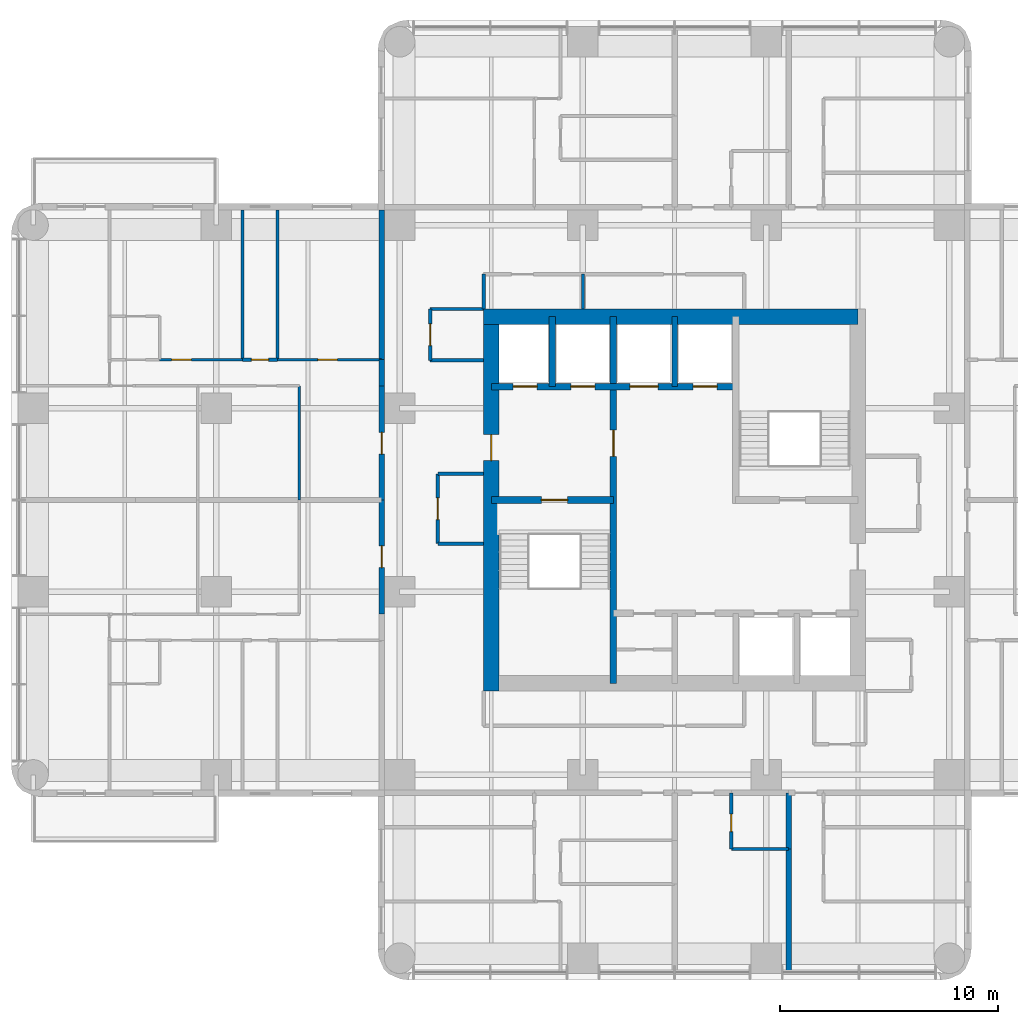
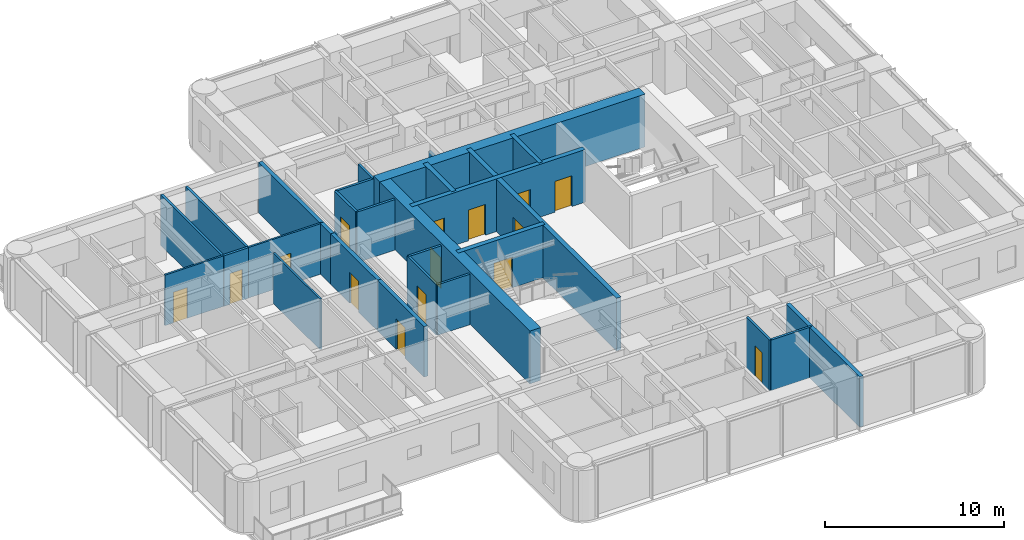
# One storey, part 6 of 11: 29 walls, 15 doors, 15 openings.
"""IFC4 building model written with IfcOpenShell, lengths in metres."""

from ifc_helpers import new_model, si_unit, direction, frame, frame_2d, origin, place, context, subcontext, project, spatial, rectangle, extrude, material, layer, layer_set, type_object, element, fill, save


model = new_model("IFC4")

# Units and contexts
model_context = context("Model", 3, precision=1e-05, world=origin(), true_north=direction((0.0, 1.0)))
body_context = subcontext(model_context, "Body", "Model", "MODEL_VIEW")
ifc_project = project(units=[si_unit("LENGTHUNIT", "METRE"), si_unit("AREAUNIT", "SQUARE_METRE"), si_unit("VOLUMEUNIT", "CUBIC_METRE"), si_unit("PLANEANGLEUNIT", "RADIAN"), si_unit("MASSUNIT", "GRAM", prefix="KILO")], contexts=[model_context])

# Site, building, storey
site_placement = place(None, origin())
site = spatial("IfcSite", under=ifc_project, at=site_placement, CompositionType="ELEMENT")
building_placement = place(site_placement, origin())
building = spatial("IfcBuilding", under=site, at=building_placement, Name="Torre Alcanfor", CompositionType="ELEMENT")
storey_placement = place(building_placement, frame((0.0, 0.0, 208.5)))
storey = spatial("IfcBuildingStorey", under=building, at=storey_placement, Name="L54", CompositionType="ELEMENT", Elevation=208.5)

# Wall, opening, door
ifc_material_1 = material(Name="Concrete block masonry, hollow blocks NMX-C-404 9 MPa", Category="masonry")
ifc_layer_1 = layer(ifc_material_1, 0.25)
ifc_layer_set_1 = layer_set([ifc_layer_1], Name="Apartment entrance wall 250 EI 60")
wall_type_1 = type_object("IfcWallType", Name="Apartment entrance wall 250 EI 60", PredefinedType="PARTITIONING", material=ifc_layer_set_1)
wall_1_placement = place(storey_placement, frame((15.97509765625, 24.1708984375, 0.0), z_axis=(0.0, 0.0, 1.0), x_axis=(0.0, 1.0, 0.0)))
wall_1 = element("IfcWall", 1, at=wall_1_placement, inside=storey, type_object=wall_type_1, Name="Partition L54-CORR / L54-W1-ZAG", PredefinedType="PARTITIONING", context=body_context, shape_type="SweptSolid", body=[
    extrude(rectangle(XDim=5.22900390625, YDim=0.25, at=frame_2d((2.614501953125, 0.0))), origin(), (0.0, 0.0, 1.0), 3.449951171875),
])
opening_1_placement = place(wall_1_placement, frame((2.12890625, 0.0, 0.0)))
opening_1 = element("IfcOpeningElement", 2, at=opening_1_placement, cuts=wall_1, Name="Opening D-A1", PredefinedType="OPENING", context=body_context, shape_type="SweptSolid", body=[
    extrude(rectangle(XDim=1.0, YDim=2.10009765625, at=frame_2d((0.5, 1.050048828125))), frame((0.0, 0.135009765625, 0.0), z_axis=(0.0, -1.0, 0.0), x_axis=(1.0, 0.0, 0.0)), (0.0, 0.0, 1.0), 0.27001953125),
])
ifc_material_2 = material(Name="Galvanised steel sheet ASTM A653", Category="steel")
door_type_1 = type_object("IfcDoorType", Name="Apartment entrance door FD60 1000x2100", OperationType="SINGLE_SWING_LEFT", PredefinedType="DOOR", material=ifc_material_2)
door_1_placement = place(opening_1_placement, origin())
door_1 = element("IfcDoor", 3, at=door_1_placement, inside=storey, type_object=door_type_1, Name="Apartment entrance L54-W1", OperationType="SINGLE_SWING_RIGHT", OverallHeight=2.10009765625, OverallWidth=1.0, PredefinedType="DOOR", context=body_context, shape_type="SweptSolid", body=[
    extrude(rectangle(XDim=1.0, YDim=2.10009765625, at=frame_2d((0.5, 1.050048828125))), frame((0.0, 0.02490234375, 0.0), z_axis=(0.0, -1.0, 0.0), x_axis=(1.0, 0.0, 0.0)), (0.0, 0.0, 1.0), 0.050048828125),
])
fill(opening_1, door_1)

wall_2_placement = place(storey_placement, frame((15.97509765625, 29.39990234375, 0.0), z_axis=(0.0, 0.0, 1.0), x_axis=(0.0, 1.0, 0.0)))
wall_2 = element("IfcWall", 4, at=wall_2_placement, inside=storey, type_object=wall_type_1, Name="Partition L54-CORR / L54-W2-ZAG", PredefinedType="PARTITIONING", context=body_context, shape_type="SweptSolid", body=[
    extrude(rectangle(XDim=5.22900390625, YDim=0.25, at=frame_2d((2.614501953125, 0.0))), origin(), (0.0, 0.0, 1.0), 3.449951171875),
])
opening_2_placement = place(wall_2_placement, frame((2.10009765625, 0.0, 0.0)))
opening_2 = element("IfcOpeningElement", 5, at=opening_2_placement, cuts=wall_2, Name="Opening D-A1", PredefinedType="OPENING", context=body_context, shape_type="SweptSolid", body=[
    extrude(rectangle(XDim=1.0, YDim=2.10009765625, at=frame_2d((0.5, 1.050048828125))), frame((0.0, 0.135009765625, 0.0), z_axis=(0.0, -1.0, 0.0), x_axis=(1.0, 0.0, 0.0)), (0.0, 0.0, 1.0), 0.27001953125),
])
door_2_placement = place(opening_2_placement, origin())
door_2 = element("IfcDoor", 6, at=door_2_placement, inside=storey, type_object=door_type_1, Name="Apartment entrance L54-W2", OperationType="SINGLE_SWING_LEFT", OverallHeight=2.10009765625, OverallWidth=1.0, PredefinedType="DOOR", context=body_context, shape_type="SweptSolid", body=[
    extrude(rectangle(XDim=1.0, YDim=2.10009765625, at=frame_2d((0.5, 1.050048828125))), frame((0.0, 0.02490234375, 0.0), z_axis=(0.0, -1.0, 0.0), x_axis=(1.0, 0.0, 0.0)), (0.0, 0.0, 1.0), 0.050048828125),
])
fill(opening_2, door_2)

# Walls
wall_3_placement = place(storey_placement, frame((15.97509765625, 34.62890625, 0.0), z_axis=(0.0, 0.0, 1.0), x_axis=(0.0, 1.0, 0.0)))
element("IfcWall", 7, at=wall_3_placement, inside=storey, type_object=wall_type_1, Name="Partition L54-CORR / L54-W2-HALL", PredefinedType="PARTITIONING", context=body_context, shape_type="SweptSolid", body=[
    extrude(rectangle(XDim=1.2001953125, YDim=0.25, at=frame_2d((0.60009765625, 0.0))), origin(), (0.0, 0.0, 1.0), 3.449951171875),
])
wall_4_placement = place(storey_placement, frame((15.97509765625, 35.8291015625, 0.0), z_axis=(0.0, 0.0, 1.0), x_axis=(0.0, 1.0, 0.0)))
element("IfcWall", 8, at=wall_4_placement, inside=storey, type_object=wall_type_1, Name="Partition L54-CORR / L54-W2-BED2", PredefinedType="PARTITIONING", context=body_context, shape_type="SweptSolid", body=[
    extrude(rectangle(XDim=6.870849609375, YDim=0.25, at=frame_2d((3.435546875, 0.0))), origin(), (0.0, 0.0, 1.0), 3.449951171875),
])
ifc_material_3 = material(Name="Gypsum board on steel studs", Category="steel")
ifc_layer_2 = layer(ifc_material_3, 0.1201171875)
ifc_layer_set_2 = layer_set([ifc_layer_2], Name="Apartment partition 120")
wall_type_2 = type_object("IfcWallType", Name="Apartment partition 120", PredefinedType="PARTITIONING", material=ifc_layer_set_2)
wall_5_placement = place(storey_placement, frame((12.199951171875, 29.39990234375, 0.0), z_axis=(0.0, 0.0, 1.0), x_axis=(0.0, 1.0, 0.0)))
element("IfcWall", 9, at=wall_5_placement, inside=storey, type_object=wall_type_2, Name="Partition L54-W2-ZAG / L54-W2-FAMILY", PredefinedType="PARTITIONING", context=body_context, shape_type="SweptSolid", body=[
    extrude(rectangle(XDim=5.22900390625, YDim=0.1201171875, at=frame_2d((2.614501953125, 0.0))), origin(), (0.0, 0.0, 1.0), 3.449951171875),
])

# Wall, opening, door
wall_6_placement = place(storey_placement, frame((11.199951171875, 35.8291015625, 0.0), z_axis=(0.0, 0.0, 1.0), x_axis=(1.0, 0.0, 0.0)))
wall_6 = element("IfcWall", 10, at=wall_6_placement, inside=storey, type_object=wall_type_2, Name="Partition L54-W2-HALL / L54-W2-BED2", PredefinedType="PARTITIONING", context=body_context, shape_type="SweptSolid", body=[
    extrude(rectangle(XDim=4.775146484375, YDim=0.1201171875, at=frame_2d((2.3876953125, 0.0))), origin(), (0.0, 0.0, 1.0), 3.449951171875),
])
opening_3_placement = place(wall_6_placement, frame((1.85009765625, 0.0, 0.0)))
opening_3 = element("IfcOpeningElement", 11, at=opening_3_placement, cuts=wall_6, Name="Opening D-R1", PredefinedType="OPENING", context=body_context, shape_type="SweptSolid", body=[
    extrude(rectangle(XDim=0.89990234375, YDim=2.10009765625, at=frame_2d((0.449951171875, 1.050048828125))), frame((0.0, 0.070068359375, 0.0), z_axis=(0.0, -1.0, 0.0), x_axis=(1.0, 0.0, 0.0)), (0.0, 0.0, 1.0), 0.14013671875),
])
ifc_material_4 = material(Name="Timber", Category="wood")
door_type_2 = type_object("IfcDoorType", Name="Internal door 900x2100", OperationType="SINGLE_SWING_LEFT", PredefinedType="DOOR", material=ifc_material_4)
door_3_placement = place(opening_3_placement, origin())
door_3 = element("IfcDoor", 12, at=door_3_placement, inside=storey, type_object=door_type_2, Name="Door L54-W2 bed2", OperationType="SINGLE_SWING_LEFT", OverallHeight=2.10009765625, OverallWidth=0.89990234375, PredefinedType="DOOR", context=body_context, shape_type="SweptSolid", body=[
    extrude(rectangle(XDim=0.89990234375, YDim=2.10009765625, at=frame_2d((0.449951171875, 1.050048828125))), frame((0.0, 0.02490234375, 0.0), z_axis=(0.0, -1.0, 0.0), x_axis=(1.0, 0.0, 0.0)), (0.0, 0.0, 1.0), 0.050048828125),
])
fill(opening_3, door_3)

wall_7_placement = place(storey_placement, frame((5.800048828125, 35.8291015625, 0.0), z_axis=(0.0, 0.0, 1.0), x_axis=(1.0, 0.0, 0.0)))
wall_7 = element("IfcWall", 13, at=wall_7_placement, inside=storey, type_object=wall_type_2, Name="Partition L54-W2-HALL / L54-W2-MASTER", PredefinedType="PARTITIONING", context=body_context, shape_type="SweptSolid", body=[
    extrude(rectangle(XDim=3.800048828125, YDim=0.1201171875, at=frame_2d((1.89990234375, 0.0))), origin(), (0.0, 0.0, 1.0), 3.449951171875),
])
opening_4_placement = place(wall_7_placement, frame((0.550048828125, 0.0, 0.0)))
opening_4 = element("IfcOpeningElement", 14, at=opening_4_placement, cuts=wall_7, Name="Opening D-R1", PredefinedType="OPENING", context=body_context, shape_type="SweptSolid", body=[
    extrude(rectangle(XDim=0.89990234375, YDim=2.10009765625, at=frame_2d((0.449951171875, 1.050048828125))), frame((0.0, 0.070068359375, 0.0), z_axis=(0.0, -1.0, 0.0), x_axis=(1.0, 0.0, 0.0)), (0.0, 0.0, 1.0), 0.14013671875),
])
door_4_placement = place(opening_4_placement, origin())
door_4 = element("IfcDoor", 15, at=door_4_placement, inside=storey, type_object=door_type_2, Name="Door L54-W2 master", OperationType="SINGLE_SWING_LEFT", OverallHeight=2.10009765625, OverallWidth=0.89990234375, PredefinedType="DOOR", context=body_context, shape_type="SweptSolid", body=[
    extrude(rectangle(XDim=0.89990234375, YDim=2.10009765625, at=frame_2d((0.449951171875, 1.050048828125))), frame((0.0, 0.02490234375, 0.0), z_axis=(0.0, -1.0, 0.0), x_axis=(1.0, 0.0, 0.0)), (0.0, 0.0, 1.0), 0.050048828125),
])
fill(opening_4, door_4)

ifc_material_5 = material(Name="Concrete f'c 70 MPa", Category="concrete")
ifc_layer_3 = layer(ifc_material_5, 0.300048828125)
ifc_layer_set_3 = layer_set([ifc_layer_3], Name="Core inner wall 300 f'c70")
wall_type_3 = type_object("IfcWallType", Name="Core inner wall 300 f'c70", PredefinedType="SHEAR", material=ifc_layer_set_3)
wall_8_placement = place(storey_placement, frame((26.60009765625, 21.0, 0.0), z_axis=(0.0, 0.0, 1.0), x_axis=(0.0, 1.0, 0.0)))
wall_8 = element("IfcWall", 16, at=wall_8_placement, inside=storey, type_object=wall_type_3, Name="Core wall X266 L54", PredefinedType="SHEAR", context=body_context, shape_type="SweptSolid", body=[
    extrude(rectangle(XDim=16.800048828125, YDim=0.300048828125, at=frame_2d((8.39990234375, 0.0))), origin(), (0.0, 0.0, 1.0), 3.60009765625),
])
opening_5_placement = place(wall_8_placement, frame((10.39990234375, 0.0, 0.0)))
opening_5 = element("IfcOpeningElement", 17, at=opening_5_placement, cuts=wall_8, Name="Opening D-L1", PredefinedType="OPENING", context=body_context, shape_type="SweptSolid", body=[
    extrude(rectangle(XDim=1.199951171875, YDim=2.10009765625, at=frame_2d((0.60009765625, 1.050048828125))), frame((0.0, 0.159912109375, 0.0), z_axis=(0.0, -1.0, 0.0), x_axis=(1.0, 0.0, 0.0)), (0.0, 0.0, 1.0), 0.320068359375),
])
ifc_material_6 = material(Name="Galvanised steel sheet ASTM A653", Category="steel")
door_type_3 = type_object("IfcDoorType", Name="Lobby door FD120 1200x2100", OperationType="SINGLE_SWING_LEFT", PredefinedType="DOOR", material=ifc_material_6)
door_5_placement = place(opening_5_placement, origin())
door_5 = element("IfcDoor", 18, at=door_5_placement, inside=storey, type_object=door_type_3, Name="Lift lobby door L54", OperationType="SINGLE_SWING_LEFT", OverallHeight=2.10009765625, OverallWidth=1.199951171875, PredefinedType="DOOR", context=body_context, shape_type="SweptSolid", body=[
    extrude(rectangle(XDim=1.199951171875, YDim=2.10009765625, at=frame_2d((0.60009765625, 1.050048828125))), frame((0.0, 0.02490234375, 0.0), z_axis=(0.0, -1.0, 0.0), x_axis=(1.0, 0.0, 0.0)), (0.0, 0.0, 1.0), 0.050048828125),
])
fill(opening_5, door_5)

wall_9_placement = place(storey_placement, frame((21.0, 29.39990234375, 0.0), z_axis=(0.0, 0.0, 1.0), x_axis=(1.0, 0.0, 0.0)))
wall_9 = element("IfcWall", 19, at=wall_9_placement, inside=storey, type_object=wall_type_3, Name="Core wall Y294W L54", PredefinedType="SHEAR", context=body_context, shape_type="SweptSolid", body=[
    extrude(rectangle(XDim=5.60009765625, YDim=0.300048828125, at=frame_2d((2.800048828125, 0.0))), origin(), (0.0, 0.0, 1.0), 3.60009765625),
])
opening_6_placement = place(wall_9_placement, frame((2.300048828125, 0.0, 0.0)))
opening_6 = element("IfcOpeningElement", 20, at=opening_6_placement, cuts=wall_9, Name="Opening D-S2", PredefinedType="OPENING", context=body_context, shape_type="SweptSolid", body=[
    extrude(rectangle(XDim=1.199951171875, YDim=2.10009765625, at=frame_2d((0.60009765625, 1.050048828125))), frame((0.0, 0.159912109375, 0.0), z_axis=(0.0, -1.0, 0.0), x_axis=(1.0, 0.0, 0.0)), (0.0, 0.0, 1.0), 0.320068359375),
])
ifc_material_7 = material(Name="Galvanised steel sheet ASTM A653", Category="steel")
door_type_4 = type_object("IfcDoorType", Name="Stair enclosure door FD120 1200x2100", OperationType="SINGLE_SWING_LEFT", PredefinedType="DOOR", material=ifc_material_7)
door_6_placement = place(opening_6_placement, frame((1.199951171875, 0.0, 0.0), z_axis=(0.0, 0.0, 1.0), x_axis=(-1.0, 0.0, 0.0)))
door_6 = element("IfcDoor", 21, at=door_6_placement, inside=storey, type_object=door_type_4, Name="Stair S1 door L54", OperationType="SINGLE_SWING_LEFT", OverallHeight=2.10009765625, OverallWidth=1.199951171875, PredefinedType="DOOR", context=body_context, shape_type="SweptSolid", body=[
    extrude(rectangle(XDim=1.199951171875, YDim=2.10009765625, at=frame_2d((0.599853515625, 1.050048828125))), frame((0.0, 0.025146484375, 0.0), z_axis=(0.0, -1.0, 0.0), x_axis=(1.0, 0.0, 0.0)), (0.0, 0.0, 1.0), 0.050048828125),
])
fill(opening_6, door_6)

# Wall, openings, doors
wall_10_placement = place(storey_placement, frame((21.0, 34.60009765625, 0.0), z_axis=(0.0, 0.0, 1.0), x_axis=(1.0, 0.0, 0.0)))
wall_10 = element("IfcWall", 22, at=wall_10_placement, inside=storey, type_object=wall_type_3, Name="Core wall Y346 L54", PredefinedType="SHEAR", context=body_context, shape_type="SweptSolid", body=[
    extrude(rectangle(XDim=11.199951171875, YDim=0.300048828125, at=frame_2d((5.60009765625, 0.0))), origin(), (0.0, 0.0, 1.0), 3.60009765625),
])
opening_7_placement = place(wall_10_placement, frame((9.25, 0.0, 0.0)))
opening_7 = element("IfcOpeningElement", 23, at=opening_7_placement, cuts=wall_10, Name="Opening LD1", PredefinedType="OPENING", context=body_context, shape_type="SweptSolid", body=[
    extrude(rectangle(XDim=1.10009765625, YDim=2.10009765625, at=frame_2d((0.550048828125, 1.050048828125))), frame((0.0, 0.159912109375, 0.0), z_axis=(0.0, -1.0, 0.0), x_axis=(1.0, 0.0, 0.0)), (0.0, 0.0, 1.0), 0.320068359375),
])
opening_8_placement = place(wall_10_placement, frame((1.0, 0.0, 0.0)))
opening_8 = element("IfcOpeningElement", 24, at=opening_8_placement, cuts=wall_10, Name="Opening LD2", PredefinedType="OPENING", context=body_context, shape_type="SweptSolid", body=[
    extrude(rectangle(XDim=1.10009765625, YDim=2.10009765625, at=frame_2d((0.550048828125, 1.050048828125))), frame((0.0, 0.159912109375, 0.0), z_axis=(0.0, -1.0, 0.0), x_axis=(1.0, 0.0, 0.0)), (0.0, 0.0, 1.0), 0.320068359375),
])
opening_9_placement = place(wall_10_placement, frame((3.64990234375, 0.0, 0.0)))
opening_9 = element("IfcOpeningElement", 25, at=opening_9_placement, cuts=wall_10, Name="Opening LD2", PredefinedType="OPENING", context=body_context, shape_type="SweptSolid", body=[
    extrude(rectangle(XDim=1.10009765625, YDim=2.10009765625, at=frame_2d((0.550048828125, 1.050048828125))), frame((0.0, 0.159912109375, 0.0), z_axis=(0.0, -1.0, 0.0), x_axis=(1.0, 0.0, 0.0)), (0.0, 0.0, 1.0), 0.320068359375),
])
opening_10_placement = place(wall_10_placement, frame((6.35009765625, 0.0, 0.0)))
opening_10 = element("IfcOpeningElement", 26, at=opening_10_placement, cuts=wall_10, Name="Opening LD3", PredefinedType="OPENING", context=body_context, shape_type="SweptSolid", body=[
    extrude(rectangle(XDim=1.300048828125, YDim=2.10009765625, at=frame_2d((0.64990234375, 1.050048828125))), frame((0.0, 0.159912109375, 0.0), z_axis=(0.0, -1.0, 0.0), x_axis=(1.0, 0.0, 0.0)), (0.0, 0.0, 1.0), 0.320068359375),
])
ifc_material_8 = material(Name="Galvanised steel sheet ASTM A653", Category="steel")
door_type_5 = type_object("IfcDoorType", Name="Firefighting lift landing door 1100x2100", OperationType="DOUBLE_DOOR_SLIDING", PredefinedType="DOOR", material=ifc_material_8)
door_7_placement = place(opening_8_placement, origin())
door_7 = element("IfcDoor", 27, at=door_7_placement, inside=storey, type_object=door_type_5, Name="Lift landing door FL1 L54", OperationType="DOUBLE_DOOR_SLIDING", OverallHeight=2.10009765625, OverallWidth=1.10009765625, PredefinedType="DOOR", context=body_context, shape_type="SweptSolid", body=[
    extrude(rectangle(XDim=1.10009765625, YDim=2.10009765625, at=frame_2d((0.550048828125, 1.050048828125))), frame((0.0, 0.02490234375, 0.0), z_axis=(0.0, -1.0, 0.0), x_axis=(1.0, 0.0, 0.0)), (0.0, 0.0, 1.0), 0.050048828125),
])
fill(opening_8, door_7)
door_8_placement = place(opening_9_placement, origin())
door_8 = element("IfcDoor", 28, at=door_8_placement, inside=storey, type_object=door_type_5, Name="Lift landing door FL2 L54", OperationType="DOUBLE_DOOR_SLIDING", OverallHeight=2.10009765625, OverallWidth=1.10009765625, PredefinedType="DOOR", context=body_context, shape_type="SweptSolid", body=[
    extrude(rectangle(XDim=1.10009765625, YDim=2.10009765625, at=frame_2d((0.550048828125, 1.050048828125))), frame((0.0, 0.02490234375, 0.0), z_axis=(0.0, -1.0, 0.0), x_axis=(1.0, 0.0, 0.0)), (0.0, 0.0, 1.0), 0.050048828125),
])
fill(opening_9, door_8)
ifc_material_9 = material(Name="Galvanised steel sheet ASTM A653", Category="steel")
door_type_6 = type_object("IfcDoorType", Name="Lift landing door 1100x2100", OperationType="DOUBLE_DOOR_SLIDING", PredefinedType="DOOR", material=ifc_material_9)
door_9_placement = place(opening_7_placement, origin())
door_9 = element("IfcDoor", 29, at=door_9_placement, inside=storey, type_object=door_type_6, Name="Lift landing door PA5 L54", OperationType="DOUBLE_DOOR_SLIDING", OverallHeight=2.10009765625, OverallWidth=1.10009765625, PredefinedType="DOOR", context=body_context, shape_type="SweptSolid", body=[
    extrude(rectangle(XDim=1.10009765625, YDim=2.10009765625, at=frame_2d((0.550048828125, 1.050048828125))), frame((0.0, 0.02490234375, 0.0), z_axis=(0.0, -1.0, 0.0), x_axis=(1.0, 0.0, 0.0)), (0.0, 0.0, 1.0), 0.050048828125),
])
fill(opening_7, door_9)
ifc_material_10 = material(Name="Galvanised steel sheet ASTM A653", Category="steel")
door_type_7 = type_object("IfcDoorType", Name="Service lift landing door 1300x2100", OperationType="DOUBLE_DOOR_SLIDING", PredefinedType="DOOR", material=ifc_material_10)
door_10_placement = place(opening_10_placement, origin())
door_10 = element("IfcDoor", 30, at=door_10_placement, inside=storey, type_object=door_type_7, Name="Lift landing door SL1 L54", OperationType="DOUBLE_DOOR_SLIDING", OverallHeight=2.10009765625, OverallWidth=1.300048828125, PredefinedType="DOOR", context=body_context, shape_type="SweptSolid", body=[
    extrude(rectangle(XDim=1.300048828125, YDim=2.10009765625, at=frame_2d((0.64990234375, 1.050048828125))), frame((0.0, 0.02490234375, 0.0), z_axis=(0.0, -1.0, 0.0), x_axis=(1.0, 0.0, 0.0)), (0.0, 0.0, 1.0), 0.050048828125),
])
fill(opening_10, door_10)

# Walls
wall_11_placement = place(storey_placement, frame((23.800048828125, 34.60009765625, 0.0), z_axis=(0.0, 0.0, 1.0), x_axis=(0.0, 1.0, 0.0)))
element("IfcWall", 31, at=wall_11_placement, inside=storey, type_object=wall_type_3, Name="Core wall X238 L54", PredefinedType="SHEAR", context=body_context, shape_type="SweptSolid", body=[
    extrude(rectangle(XDim=3.199951171875, YDim=0.300048828125, at=frame_2d((1.60009765625, 0.0))), origin(), (0.0, 0.0, 1.0), 3.60009765625),
])
ifc_material_11 = material(Name="Concrete f'c 70 MPa", Category="concrete")
ifc_layer_4 = layer(ifc_material_11, 0.25)
ifc_layer_set_4 = layer_set([ifc_layer_4], Name="Core shaft wall 250 f'c70")
wall_type_4 = type_object("IfcWallType", Name="Core shaft wall 250 f'c70", PredefinedType="SHEAR", material=ifc_layer_set_4)
wall_12_placement = place(storey_placement, frame((29.39990234375, 34.60009765625, 0.0), z_axis=(0.0, 0.0, 1.0), x_axis=(0.0, 1.0, 0.0)))
element("IfcWall", 32, at=wall_12_placement, inside=storey, type_object=wall_type_4, Name="Core wall X294N L54", PredefinedType="SHEAR", context=body_context, shape_type="SweptSolid", body=[
    extrude(rectangle(XDim=3.199951171875, YDim=0.25, at=frame_2d((1.60009765625, 0.0))), origin(), (0.0, 0.0, 1.0), 3.60009765625),
])
ifc_material_12 = material(Name="Concrete f'c 70 MPa", Category="concrete")
ifc_layer_5 = layer(ifc_material_12, 0.699951171875)
ifc_layer_set_5 = layer_set([ifc_layer_5], Name="Core wall 700 f'c70")
wall_type_5 = type_object("IfcWallType", Name="Core wall 700 f'c70", PredefinedType="SHEAR", material=ifc_layer_set_5)
wall_13_placement = place(storey_placement, frame((37.800048828125, 37.800048828125, 0.0), z_axis=(0.0, 0.0, 1.0), x_axis=(-1.0, 0.0, 0.0)))
element("IfcWall", 33, at=wall_13_placement, inside=storey, type_object=wall_type_5, Name="Core wall OUT-N L54", PredefinedType="SHEAR", context=body_context, shape_type="SweptSolid", body=[
    extrude(rectangle(XDim=17.150146484375, YDim=0.699951171875, at=frame_2d((8.5751953125, 0.0))), origin(), (0.0, 0.0, 1.0), 3.60009765625),
])

# Wall, opening, door
wall_14_placement = place(storey_placement, frame((21.0, 37.800048828125, 0.0), z_axis=(0.0, 0.0, 1.0), x_axis=(0.0, -1.0, 0.0)))
wall_14 = element("IfcWall", 34, at=wall_14_placement, inside=storey, type_object=wall_type_5, Name="Core wall OUT-W L54", PredefinedType="SHEAR", context=body_context, shape_type="SweptSolid", body=[
    extrude(rectangle(XDim=17.150146484375, YDim=0.699951171875, at=frame_2d((8.5751953125, 0.0))), origin(), (0.0, 0.0, 1.0), 3.60009765625),
])
opening_11_placement = place(wall_14_placement, frame((5.39990234375, 0.0, 0.0)))
opening_11 = element("IfcOpeningElement", 35, at=opening_11_placement, cuts=wall_14, Name="Opening D-L1", PredefinedType="OPENING", context=body_context, shape_type="SweptSolid", body=[
    extrude(rectangle(XDim=1.199951171875, YDim=2.10009765625, at=frame_2d((0.60009765625, 1.050048828125))), frame((0.0, 0.35986328125, 0.0), z_axis=(0.0, -1.0, 0.0), x_axis=(1.0, 0.0, 0.0)), (0.0, 0.0, 1.0), 0.719970703125),
])
door_11_placement = place(opening_11_placement, origin())
door_11 = element("IfcDoor", 36, at=door_11_placement, inside=storey, type_object=door_type_3, Name="Firefighting lobby door L54", OperationType="SINGLE_SWING_LEFT", OverallHeight=2.10009765625, OverallWidth=1.199951171875, PredefinedType="DOOR", context=body_context, shape_type="SweptSolid", body=[
    extrude(rectangle(XDim=1.199951171875, YDim=2.10009765625, at=frame_2d((0.60009765625, 1.050048828125))), frame((0.0, 0.02490234375, 0.0), z_axis=(0.0, -1.0, 0.0), x_axis=(1.0, 0.0, 0.0)), (0.0, 0.0, 1.0), 0.050048828125),
])
fill(opening_11, door_11)

# Walls
ifc_material_13 = material(Name="Concrete block masonry, hollow blocks NMX-C-404 9 MPa", Category="masonry")
ifc_layer_6 = layer(ifc_material_13, 0.25)
ifc_layer_set_6 = layer_set([ifc_layer_6], Name="Party wall 250 EI 60")
wall_type_6 = type_object("IfcWallType", Name="Party wall 250 EI 60", PredefinedType="PARTITIONING", material=ifc_layer_set_6)
wall_15_placement = place(storey_placement, frame((34.62890625, 13.39990234375, 0.0), z_axis=(0.0, 0.0, 1.0), x_axis=(0.0, -1.0, 0.0)))
element("IfcWall", 37, at=wall_15_placement, inside=storey, type_object=wall_type_6, Name="Partition L54-S1A-STUDIO / L54-S1B-LIVING", PredefinedType="PARTITIONING", context=body_context, shape_type="SweptSolid", body=[
    extrude(rectangle(XDim=5.64990234375, YDim=0.25, at=frame_2d((2.824951171875, 0.0))), origin(), (0.0, 0.0, 1.0), 3.449951171875),
])
wall_16_placement = place(storey_placement, frame((34.62890625, 13.39990234375, 0.0), z_axis=(0.0, 0.0, 1.0), x_axis=(0.0, 1.0, 0.0)))
element("IfcWall", 38, at=wall_16_placement, inside=storey, type_object=wall_type_6, Name="Partition L54-S1A-BATH / L54-S1B-LIVING", PredefinedType="PARTITIONING", context=body_context, shape_type="SweptSolid", body=[
    extrude(rectangle(XDim=2.5751953125, YDim=0.25, at=frame_2d((1.28759765625, 0.0))), origin(), (0.0, 0.0, 1.0), 3.449951171875),
])
ifc_material_14 = material(Name="Concrete block masonry, hollow blocks NMX-C-404 9 MPa", Category="masonry")
ifc_layer_7 = layer(ifc_material_14, 0.14990234375)
ifc_layer_set_7 = layer_set([ifc_layer_7], Name="Residents' room partition 150")
wall_type_7 = type_object("IfcWallType", Name="Residents' room partition 150", PredefinedType="PARTITIONING", material=ifc_layer_set_7)
wall_17_placement = place(storey_placement, frame((20.64990234375, 39.75, 0.0), z_axis=(0.0, 0.0, 1.0), x_axis=(0.0, -1.0, 0.0)))
element("IfcWall", 39, at=wall_17_placement, inside=storey, type_object=wall_type_7, Name="Partition L54-CORR / L54-G01", PredefinedType="PARTITIONING", context=body_context, shape_type="SweptSolid", body=[
    extrude(rectangle(XDim=1.60009765625, YDim=0.14990234375, at=frame_2d((0.800048828125, 0.0))), origin(), (0.0, 0.0, 1.0), 3.449951171875),
])
wall_18_placement = place(storey_placement, frame((20.64990234375, 30.60009765625, 0.0), z_axis=(0.0, 0.0, 1.0), x_axis=(-1.0, 0.0, 0.0)))
element("IfcWall", 40, at=wall_18_placement, inside=storey, type_object=wall_type_7, Name="Partition L54-CORR / L54-G07", PredefinedType="PARTITIONING", context=body_context, shape_type="SweptSolid", body=[
    extrude(rectangle(XDim=2.099853515625, YDim=0.14990234375, at=frame_2d((1.0498046875, 0.0))), origin(), (0.0, 0.0, 1.0), 3.449951171875),
])

# Wall, opening, door
wall_19_placement = place(storey_placement, frame((18.550048828125, 30.60009765625, 0.0), z_axis=(0.0, 0.0, 1.0), x_axis=(0.0, -1.0, 0.0)))
wall_19 = element("IfcWall", 41, at=wall_19_placement, inside=storey, type_object=wall_type_7, Name="Partition L54-CORR / L54-G07", PredefinedType="PARTITIONING", context=body_context, shape_type="SweptSolid", body=[
    extrude(rectangle(XDim=3.2001953125, YDim=0.14990234375, at=frame_2d((1.60009765625, 0.0))), origin(), (0.0, 0.0, 1.0), 3.449951171875),
])
opening_12_placement = place(wall_19_placement, frame((1.10009765625, 0.0, 0.0)))
opening_12 = element("IfcOpeningElement", 42, at=opening_12_placement, cuts=wall_19, Name="Opening D-M1", PredefinedType="OPENING", context=body_context, shape_type="SweptSolid", body=[
    extrude(rectangle(XDim=1.0, YDim=2.10009765625, at=frame_2d((0.5, 1.050048828125))), frame((0.0, 0.0849609375, 0.0), z_axis=(0.0, -1.0, 0.0), x_axis=(1.0, 0.0, 0.0)), (0.0, 0.0, 1.0), 0.169921875),
])
ifc_material_15 = material(Name="Timber", Category="wood")
door_type_8 = type_object("IfcDoorType", Name="Residents' room door 1000x2100", OperationType="SINGLE_SWING_LEFT", PredefinedType="DOOR", material=ifc_material_15)
door_12_placement = place(opening_12_placement, origin())
door_12 = element("IfcDoor", 43, at=door_12_placement, inside=storey, type_object=door_type_8, Name="Door L54-G07 linen store", OperationType="SINGLE_SWING_LEFT", OverallHeight=2.10009765625, OverallWidth=1.0, PredefinedType="DOOR", context=body_context, shape_type="SweptSolid", body=[
    extrude(rectangle(XDim=1.0, YDim=2.10009765625, at=frame_2d((0.5, 1.050048828125))), frame((0.0, 0.02490234375, 0.0), z_axis=(0.0, -1.0, 0.0), x_axis=(1.0, 0.0, 0.0)), (0.0, 0.0, 1.0), 0.050048828125),
])
fill(opening_12, door_12)

# Walls
wall_20_placement = place(storey_placement, frame((18.550048828125, 27.39990234375, 0.0), z_axis=(0.0, 0.0, 1.0), x_axis=(1.0, 0.0, 0.0)))
element("IfcWall", 44, at=wall_20_placement, inside=storey, type_object=wall_type_7, Name="Partition L54-CORR / L54-G07", PredefinedType="PARTITIONING", context=body_context, shape_type="SweptSolid", body=[
    extrude(rectangle(XDim=2.099853515625, YDim=0.14990234375, at=frame_2d((1.0498046875, 0.0))), origin(), (0.0, 0.0, 1.0), 3.449951171875),
])
wall_21_placement = place(storey_placement, frame((20.64990234375, 38.14990234375, 0.0), z_axis=(0.0, 0.0, 1.0), x_axis=(-1.0, 0.0, 0.0)))
element("IfcWall", 45, at=wall_21_placement, inside=storey, type_object=wall_type_7, Name="Partition L54-CORR / L54-G08", PredefinedType="PARTITIONING", context=body_context, shape_type="SweptSolid", body=[
    extrude(rectangle(XDim=2.449951171875, YDim=0.14990234375, at=frame_2d((1.22509765625, 0.0))), origin(), (0.0, 0.0, 1.0), 3.449951171875),
])

# Wall, opening, door
wall_22_placement = place(storey_placement, frame((18.199951171875, 38.14990234375, 0.0), z_axis=(0.0, 0.0, 1.0), x_axis=(0.0, -1.0, 0.0)))
wall_22 = element("IfcWall", 46, at=wall_22_placement, inside=storey, type_object=wall_type_7, Name="Partition L54-CORR / L54-G08", PredefinedType="PARTITIONING", context=body_context, shape_type="SweptSolid", body=[
    extrude(rectangle(XDim=2.349853515625, YDim=0.14990234375, at=frame_2d((1.1748046875, 0.0))), origin(), (0.0, 0.0, 1.0), 3.449951171875),
])
opening_13_placement = place(wall_22_placement, frame((0.675048828125, 0.0, 0.0)))
opening_13 = element("IfcOpeningElement", 47, at=opening_13_placement, cuts=wall_22, Name="Opening D-M1", PredefinedType="OPENING", context=body_context, shape_type="SweptSolid", body=[
    extrude(rectangle(XDim=1.0, YDim=2.10009765625, at=frame_2d((0.5, 1.050048828125))), frame((0.0, 0.0849609375, 0.0), z_axis=(0.0, -1.0, 0.0), x_axis=(1.0, 0.0, 0.0)), (0.0, 0.0, 1.0), 0.169921875),
])
door_13_placement = place(opening_13_placement, origin())
door_13 = element("IfcDoor", 48, at=door_13_placement, inside=storey, type_object=door_type_8, Name="Door L54-G08 residents' lockers", OperationType="SINGLE_SWING_LEFT", OverallHeight=2.10009765625, OverallWidth=1.0, PredefinedType="DOOR", context=body_context, shape_type="SweptSolid", body=[
    extrude(rectangle(XDim=1.0, YDim=2.10009765625, at=frame_2d((0.5, 1.050048828125))), frame((0.0, 0.02490234375, 0.0), z_axis=(0.0, -1.0, 0.0), x_axis=(1.0, 0.0, 0.0)), (0.0, 0.0, 1.0), 0.050048828125),
])
fill(opening_13, door_13)

# Walls
wall_23_placement = place(storey_placement, frame((18.199951171875, 35.800048828125, 0.0), z_axis=(0.0, 0.0, 1.0), x_axis=(1.0, 0.0, 0.0)))
element("IfcWall", 49, at=wall_23_placement, inside=storey, type_object=wall_type_7, Name="Partition L54-CORR / L54-G08", PredefinedType="PARTITIONING", context=body_context, shape_type="SweptSolid", body=[
    extrude(rectangle(XDim=2.449951171875, YDim=0.14990234375, at=frame_2d((1.22509765625, 0.0))), origin(), (0.0, 0.0, 1.0), 3.449951171875),
])
wall_24_placement = place(storey_placement, frame((25.199951171875, 38.14990234375, 0.0), z_axis=(0.0, 0.0, 1.0), x_axis=(0.0, 1.0, 0.0)))
element("IfcWall", 50, at=wall_24_placement, inside=storey, type_object=wall_type_7, Name="Partition L54-G01 / L54-G02", PredefinedType="PARTITIONING", context=body_context, shape_type="SweptSolid", body=[
    extrude(rectangle(XDim=1.60009765625, YDim=0.14990234375, at=frame_2d((0.800048828125, 0.0))), origin(), (0.0, 0.0, 1.0), 2.7666015625),
])

# Wall, opening, door
ifc_material_16 = material(Name="Cement board on steel studs", Category="steel")
ifc_layer_8 = layer(ifc_material_16, 0.14990234375)
ifc_layer_set_8 = layer_set([ifc_layer_8], Name="Wet area partition 150")
wall_type_8 = type_object("IfcWallType", Name="Wet area partition 150", PredefinedType="PARTITIONING", material=ifc_layer_set_8)
wall_25_placement = place(storey_placement, frame((32.0, 15.97509765625, 0.0), z_axis=(0.0, 0.0, 1.0), x_axis=(0.0, -1.0, 0.0)))
wall_25 = element("IfcWall", 51, at=wall_25_placement, inside=storey, type_object=wall_type_8, Name="Partition L54-S1A-STUDIO / L54-S1A-BATH", PredefinedType="PARTITIONING", context=body_context, shape_type="SweptSolid", body=[
    extrude(rectangle(XDim=2.5751953125, YDim=0.14990234375, at=frame_2d((1.28759765625, 0.0))), origin(), (0.0, 0.0, 1.0), 3.449951171875),
])
opening_14_placement = place(wall_25_placement, frame((0.97509765625, 0.0, 0.0)))
opening_14 = element("IfcOpeningElement", 52, at=opening_14_placement, cuts=wall_25, Name="Opening D-R2", PredefinedType="OPENING", context=body_context, shape_type="SweptSolid", body=[
    extrude(rectangle(XDim=0.800048828125, YDim=2.10009765625, at=frame_2d((0.39990234375, 1.050048828125))), frame((0.0, 0.0849609375, 0.0), z_axis=(0.0, -1.0, 0.0), x_axis=(1.0, 0.0, 0.0)), (0.0, 0.0, 1.0), 0.169921875),
])
ifc_material_17 = material(Name="Timber", Category="wood")
door_type_9 = type_object("IfcDoorType", Name="Bathroom door 800x2100", OperationType="SINGLE_SWING_LEFT", PredefinedType="DOOR", material=ifc_material_17)
door_14_placement = place(opening_14_placement, origin())
door_14 = element("IfcDoor", 53, at=door_14_placement, inside=storey, type_object=door_type_9, Name="Door L54-S1A bath", OperationType="SINGLE_SWING_RIGHT", OverallHeight=2.10009765625, OverallWidth=0.800048828125, PredefinedType="DOOR", context=body_context, shape_type="SweptSolid", body=[
    extrude(rectangle(XDim=0.800048828125, YDim=2.10009765625, at=frame_2d((0.39990234375, 1.050048828125))), frame((0.0, 0.02490234375, 0.0), z_axis=(0.0, -1.0, 0.0), x_axis=(1.0, 0.0, 0.0)), (0.0, 0.0, 1.0), 0.050048828125),
])
fill(opening_14, door_14)

# Wall
wall_26_placement = place(storey_placement, frame((32.0, 13.39990234375, 0.0), z_axis=(0.0, 0.0, 1.0), x_axis=(1.0, 0.0, 0.0)))
element("IfcWall", 54, at=wall_26_placement, inside=storey, type_object=wall_type_8, Name="Partition L54-S1A-STUDIO / L54-S1A-BATH", PredefinedType="PARTITIONING", context=body_context, shape_type="SweptSolid", body=[
    extrude(rectangle(XDim=2.62890625, YDim=0.14990234375, at=frame_2d((1.314453125, 0.0))), origin(), (0.0, 0.0, 1.0), 3.449951171875),
])

# Wall, opening, door
wall_27_placement = place(storey_placement, frame((9.60009765625, 35.8291015625, 0.0), z_axis=(0.0, 0.0, 1.0), x_axis=(1.0, 0.0, 0.0)))
wall_27 = element("IfcWall", 55, at=wall_27_placement, inside=storey, type_object=wall_type_8, Name="Partition L54-W2-HALL / L54-W2-BATH1", PredefinedType="PARTITIONING", context=body_context, shape_type="SweptSolid", body=[
    extrude(rectangle(XDim=1.599853515625, YDim=0.14990234375, at=frame_2d((0.7998046875, 0.0))), origin(), (0.0, 0.0, 1.0), 3.449951171875),
])
opening_15_placement = place(wall_27_placement, frame((0.39990234375, 0.0, 0.0)))
opening_15 = element("IfcOpeningElement", 56, at=opening_15_placement, cuts=wall_27, Name="Opening D-R2", PredefinedType="OPENING", context=body_context, shape_type="SweptSolid", body=[
    extrude(rectangle(XDim=0.800048828125, YDim=2.10009765625, at=frame_2d((0.39990234375, 1.050048828125))), frame((0.0, 0.0849609375, 0.0), z_axis=(0.0, -1.0, 0.0), x_axis=(1.0, 0.0, 0.0)), (0.0, 0.0, 1.0), 0.169921875),
])
door_15_placement = place(opening_15_placement, origin())
door_15 = element("IfcDoor", 57, at=door_15_placement, inside=storey, type_object=door_type_9, Name="Door L54-W2 bath1", OperationType="SINGLE_SWING_LEFT", OverallHeight=2.10009765625, OverallWidth=0.800048828125, PredefinedType="DOOR", context=body_context, shape_type="SweptSolid", body=[
    extrude(rectangle(XDim=0.800048828125, YDim=2.10009765625, at=frame_2d((0.39990234375, 1.050048828125))), frame((0.0, 0.02490234375, 0.0), z_axis=(0.0, -1.0, 0.0), x_axis=(1.0, 0.0, 0.0)), (0.0, 0.0, 1.0), 0.050048828125),
])
fill(opening_15, door_15)

# Walls
for number, where, z_axis, x_axis, name in (
    (58, (11.199951171875, 35.8291015625, 0.0), (0.0, 0.0, 1.0), (0.0, 1.0, 0.0), "Partition L54-W2-BED2 / L54-W2-BATH1"),
    (59, (9.60009765625, 35.8291015625, 0.0), (0.0, 0.0, 1.0), (0.0, 1.0, 0.0), "Partition L54-W2-BATH1 / L54-W2-MASTER"),
):
    element("IfcWall", number, at=place(storey_placement, frame(where, z_axis=z_axis, x_axis=x_axis)), inside=storey, type_object=wall_type_8, Name=name, PredefinedType="PARTITIONING", context=body_context, shape_type="SweptSolid", body=[
        extrude(rectangle(XDim=6.870849609375, YDim=0.14990234375, at=frame_2d((3.435546875, 0.0))), origin(), (0.0, 0.0, 1.0), 3.449951171875),
    ])

save(model, "model.ifc")
